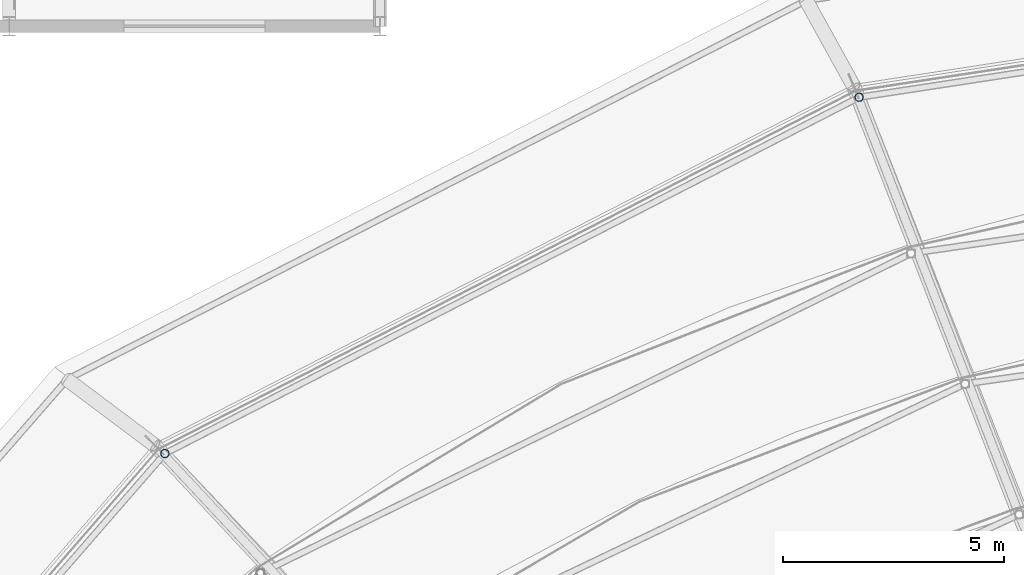
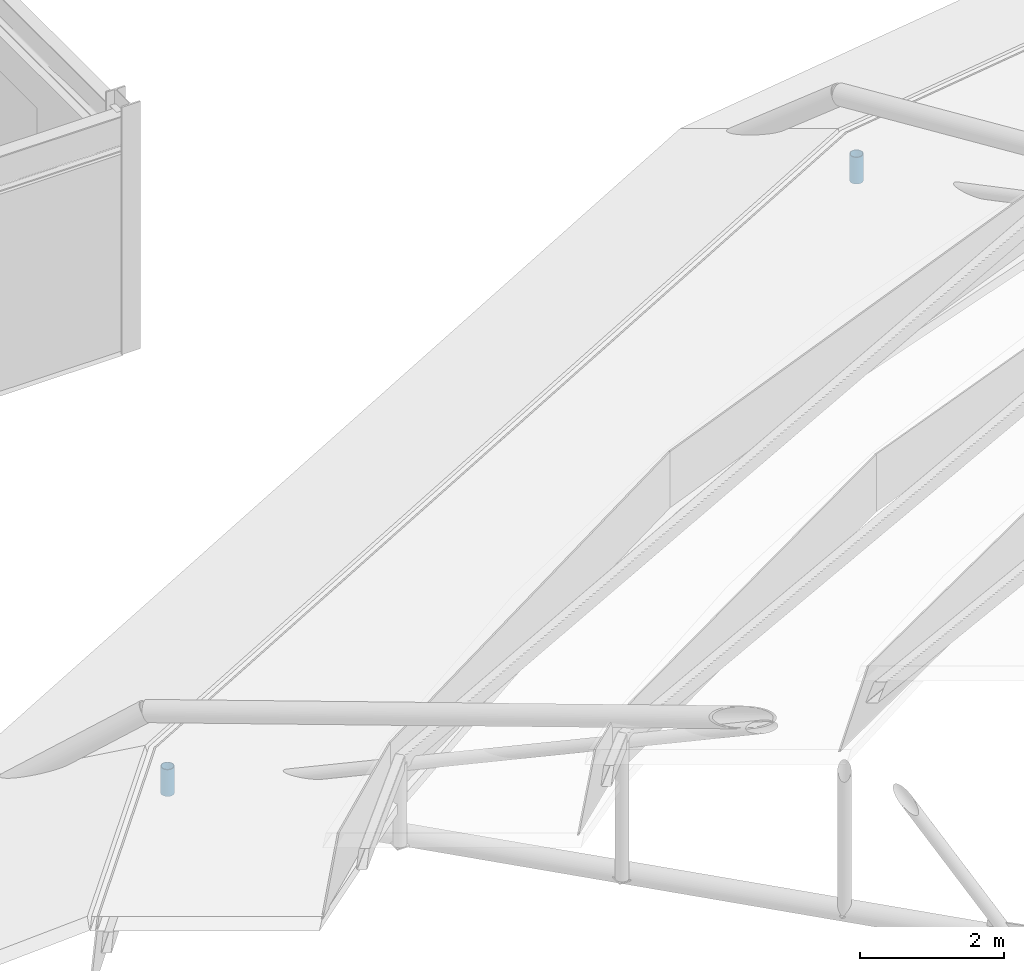
# One storey, part 100 of 134: 2 members.
"""IFC4 building model written with IfcOpenShell, lengths in metres."""

from ifc_helpers import new_model, si_unit, derived_unit, direction, frame, origin, origin_2d, place, context, subcontext, project, spatial, hollow_circle, extrude, material, material_profile, profile_set, type_object, element, save


model = new_model("IFC4")

# Units and contexts
model_context = context("Model", 3, precision=1e-05, world=origin(), true_north=direction((0.0, 1.0)))
body_context = subcontext(model_context, "Body", "Model", "MODEL_VIEW")
ifc_project = project(units=[si_unit("LENGTHUNIT", "METRE"), si_unit("AREAUNIT", "SQUARE_METRE"), si_unit("VOLUMEUNIT", "CUBIC_METRE"), si_unit("PLANEANGLEUNIT", "RADIAN"), si_unit("MASSUNIT", "GRAM", prefix="KILO"), derived_unit("THERMALTRANSMITTANCEUNIT", [(si_unit("MASSUNIT", "GRAM", prefix="KILO"), 1), (si_unit("TIMEUNIT", "SECOND"), -3), (si_unit("THERMODYNAMICTEMPERATUREUNIT", "KELVIN"), -1)])], contexts=[model_context])

# Site, building, storey
site_placement = place(None, origin())
site = spatial("IfcSite", under=ifc_project, at=site_placement, CompositionType="ELEMENT")
building_placement = place(site_placement, origin())
building = spatial("IfcBuilding", under=site, at=building_placement, Name="Kharveza Railside Sports Centre", CompositionType="ELEMENT")
storey_placement = place(building_placement, frame((0.0, 0.0, 12.89990234375)))
storey = spatial("IfcBuildingStorey", under=building, at=storey_placement, Name="L03", CompositionType="ELEMENT", Elevation=12.89990234375)

# Members
ifc_material = material(Name="Steel S355J2", Category="steel")
ifc_material_profile = material_profile(ifc_material, hollow_circle(Radius=0.096923828125, WallThickness=0.010009765625, at=origin_2d()), Name="CHS 193.7x10.0")
ifc_profile_set = profile_set([ifc_material_profile], Name="Steel S355J2")
member_type = type_object("IfcMemberType", Name="MB-ST02", PredefinedType="STRUT", material=ifc_profile_set)
for number, where, z_axis, x_axis, name in (
    (1, (36.05126953125, 84.793212890625, -0.0498046875), (0.0, 0.0, 1.0), (1.0, 0.0, 0.0), "MB-LIDPOST-S1-06"),
    (2, (20.326416015625, 76.723388671875, -0.0498046875), (0.0, 0.0, 1.0), (1.0, 0.0, 0.0), "MB-LIDPOST-S1-07"),
):
    element("IfcMember", number, at=place(storey_placement, frame(where, z_axis=z_axis, x_axis=x_axis)), inside=storey, type_object=member_type, Name=name, PredefinedType="STRUT", context=body_context, shape_type="SweptSolid", body=[
        extrude(hollow_circle(Radius=0.096923828125, WallThickness=0.010009765625, at=origin_2d()), origin(), (0.0, 0.0, 1.0), 0.454833984375),
    ])

save(model, "model.ifc")
